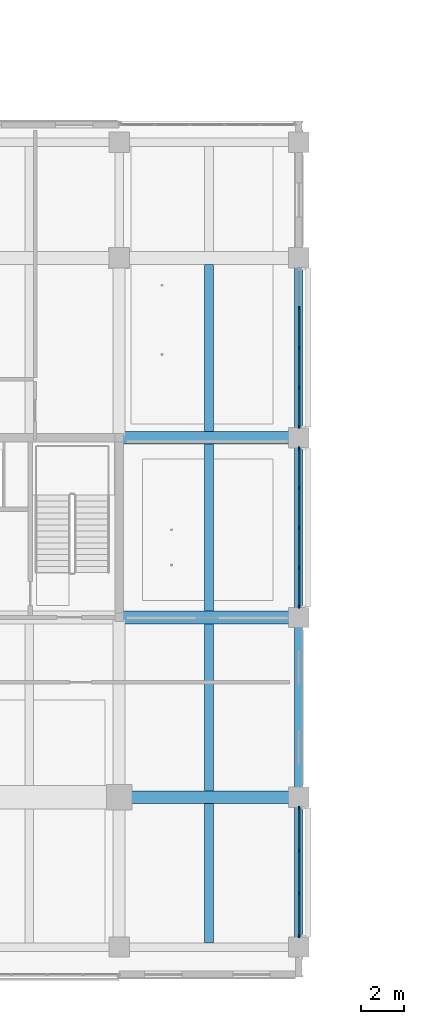
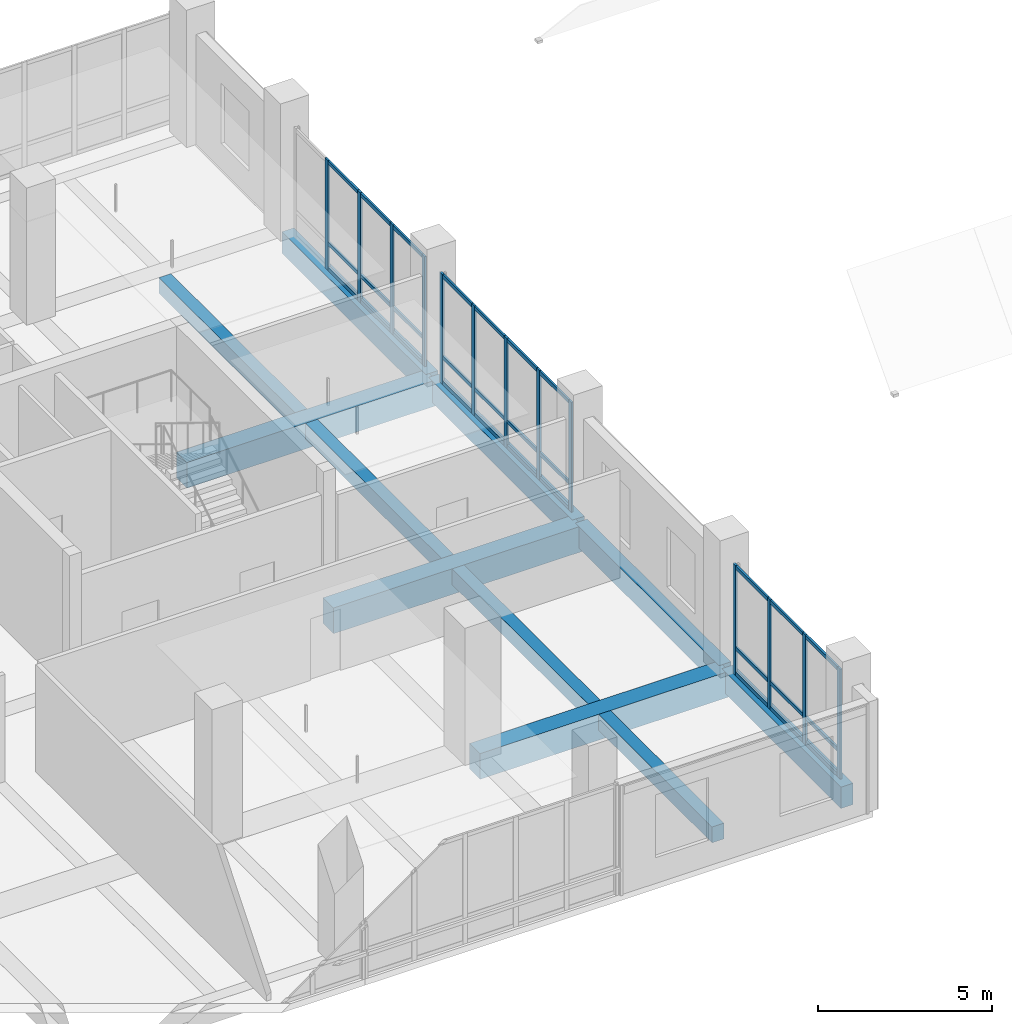
# One storey, part 20 of 122: 43 members, 11 beams, 3 elements without a shape of their own.
"""IFC4 building model written with IfcOpenShell, lengths in metres."""

import ifcopenshell
import ifcopenshell.guid

model = None  # the IFC model being written
_history = None  # IfcOwnerHistory: only IFC2X3 demands one
_inside = {}  # id of a spatial element -> (the spatial element, [elements in it])
_under = {}  # id of a project, library or spatial element -> (it, [spatial elements below it])
_declared = {}  # id of a project -> (the project, [libraries it declares])
_typed = {}  # id of a type object -> (the type object, [elements of that type])
_made_of = {}  # id of a material, layer set ... -> (it, [elements and type objects made of it])


def new_model(schema):
    """Start an empty IFC model of exactly this schema.

    Asked for "IFC4X3", IfcOpenShell would pick the latest addendum, in which some entities
    have other attributes; the version numbers below select the first issue.
    IFC2X3 requires an IfcOwnerHistory on every rooted entity: one is made here for all.
    """
    global model, _history
    if schema == "IFC4X3":
        model = ifcopenshell.file(schema_version=(4, 3, 0, 0))
    else:
        model = ifcopenshell.file(schema=schema)
    _inside.clear()
    _under.clear()
    _declared.clear()
    _typed.clear()
    _made_of.clear()
    _history = None
    if model.schema == "IFC2X3":
        org = make("IfcOrganization", Name="unknown")
        user = make(
            "IfcPersonAndOrganization",
            ThePerson=make("IfcPerson", FamilyName="unknown"),
            TheOrganization=org,
        )
        app = make(
            "IfcApplication",
            ApplicationDeveloper=org,
            Version="unknown",
            ApplicationFullName="unknown",
            ApplicationIdentifier="unknown",
        )
        _history = make(
            "IfcOwnerHistory",
            OwningUser=user,
            OwningApplication=app,
            ChangeAction="ADDED",
            CreationDate=0,
        )
    return model


def make(cls, **values):
    """One entity of the class cls with the attributes given. An attribute that is None is left unset."""
    return model.create_entity(
        cls, **{name: value for name, value in values.items() if value is not None}
    )


def rooted(cls, **values):
    """An entity with a GlobalId (a new one), such as an element, a storey or a relation."""
    return make(cls, GlobalId=ifcopenshell.guid.new(), OwnerHistory=_history, **values)


def si_unit(unit_type, name, prefix=None):
    """IfcSIUnit, for example si_unit("LENGTHUNIT", "METRE", prefix="MILLI")."""
    return make("IfcSIUnit", UnitType=unit_type, Prefix=prefix, Name=name)


def assignment(units):
    """IfcUnitAssignment: the units of a project."""
    return None if units is None else make("IfcUnitAssignment", Units=units)


def point(xyz):
    """IfcCartesianPoint."""
    return None if xyz is None else make("IfcCartesianPoint", Coordinates=xyz)


def direction(xyz):
    """IfcDirection."""
    return None if xyz is None else make("IfcDirection", DirectionRatios=xyz)


def frame(location, z_axis=None, x_axis=None):
    """IfcAxis2Placement3D, a coordinate frame: its origin and axes. An axis left out is left unset."""
    return make(
        "IfcAxis2Placement3D",
        Location=point(location),
        Axis=direction(z_axis),
        RefDirection=direction(x_axis),
    )


def frame_2d(location, x_axis=None):
    """IfcAxis2Placement2D, a coordinate frame in the plane: its origin and x axis."""
    return make(
        "IfcAxis2Placement2D", Location=point(location), RefDirection=direction(x_axis)
    )


def origin():
    """The frame at (0, 0, 0) with its axes left unset."""
    return frame((0.0, 0.0, 0.0))


def origin_2d():
    """The frame at (0, 0) in the plane with its x axis left unset."""
    return frame_2d((0.0, 0.0))


def place(relative_to, where):
    """IfcLocalPlacement: puts the frame where relative to a parent placement (None: the world)."""
    return make(
        "IfcLocalPlacement", PlacementRelTo=relative_to, RelativePlacement=where
    )


def context(
    kind, dimensions, precision=None, world=None, true_north=None, identifier=None
):
    """IfcGeometricRepresentationContext, for example the 3D "Model" context."""
    return make(
        "IfcGeometricRepresentationContext",
        ContextIdentifier=identifier,
        ContextType=kind,
        CoordinateSpaceDimension=dimensions,
        Precision=precision,
        WorldCoordinateSystem=world,
        TrueNorth=true_north,
    )


def subcontext(parent, identifier, kind, view, scale=None):
    """IfcGeometricRepresentationSubContext, for example "Body" below "Model"."""
    return make(
        "IfcGeometricRepresentationSubContext",
        ContextIdentifier=identifier,
        ContextType=kind,
        ParentContext=parent,
        TargetScale=scale,
        TargetView=view,
    )


def project(units=None, contexts=None):
    """IfcProject with its units and contexts."""
    return rooted(
        "IfcProject",
        Name="project",
        RepresentationContexts=contexts,
        UnitsInContext=assignment(units),
    )


def spatial(cls, under=None, at=None, **own):
    """A site, building, storey or space (cls), placed at a placement, below another one or the project."""
    s = rooted(cls, ObjectPlacement=at, **own)
    if under is not None:
        _under.setdefault(under.id(), (under, []))[1].append(s)
    return s


def profile(cls, at=None, kind="AREA", **sizes):
    """A parametric profile (cls). Its sizes go by their IFC names, for example OverallWidth=200.0."""
    return make(cls, ProfileType=kind, Position=at, **sizes)


def rectangle(**sizes):
    """IfcRectangleProfileDef."""
    return profile("IfcRectangleProfileDef", **sizes)


def extrude(swept, where, along, depth):
    """IfcExtrudedAreaSolid: the profile swept, set in the frame where, extruded along a direction by depth."""
    return make(
        "IfcExtrudedAreaSolid",
        SweptArea=swept,
        Position=where,
        ExtrudedDirection=direction(along),
        Depth=depth,
    )


def shape(context_of_items, identifier, shape_type, items):
    """IfcShapeRepresentation: the items that make up one representation, for example the "Body"."""
    return make(
        "IfcShapeRepresentation",
        ContextOfItems=context_of_items,
        RepresentationIdentifier=identifier,
        RepresentationType=shape_type,
        Items=items,
    )


def material(Name=None, Category=None):
    """IfcMaterial."""
    return make("IfcMaterial", Name=Name, Category=Category)


def layer(
    of_material, thickness, ventilated=None, Name=None, Category=None, Priority=None
):
    """IfcMaterialLayer: one layer of a wall or slab, of a material (None: an air gap)."""
    return make(
        "IfcMaterialLayer",
        Material=of_material,
        LayerThickness=thickness,
        IsVentilated=ventilated,
        Name=Name,
        Category=Category,
        Priority=Priority,
    )


def layer_set(layers, Name=None):
    """IfcMaterialLayerSet."""
    return make("IfcMaterialLayerSet", MaterialLayers=layers, LayerSetName=Name)


def material_profile(
    of_material, cross_section, Name=None, Category=None, Priority=None
):
    """IfcMaterialProfile: a cross section and its material."""
    return make(
        "IfcMaterialProfile",
        Name=Name,
        Material=of_material,
        Profile=cross_section,
        Priority=Priority,
        Category=Category,
    )


def profile_set(profiles, Name=None, composite=None):
    """IfcMaterialProfileSet."""
    return make(
        "IfcMaterialProfileSet",
        Name=Name,
        MaterialProfiles=profiles,
        CompositeProfile=composite,
    )


def made_of(thing, what):
    """Note that an element or type object is made of a material, layer set ...; save() writes the relation."""
    if what is not None:
        _made_of.setdefault(what.id(), (what, []))[1].append(thing)
    return thing


def type_object(cls, material=None, **own):
    """A type object (cls), such as IfcWallType, which elements share."""
    return made_of(rooted(cls, **own), material)


def element(
    cls,
    number,
    at=None,
    inside=None,
    cuts=None,
    type_object=None,
    material=None,
    context=None,
    identifier="Body",
    shape_type=None,
    held_by="IfcProductDefinitionShape",
    body=None,
    shapes=None,
    **own,
):
    """One element of the class cls, such as IfcWall. Its Tag is "e" and its number.

    at: its placement. inside: the storey or other place that contains it. cuts: it is an
    opening in that element (IfcRelVoidsElement). A single representation is given by context,
    identifier, shape_type and body (its items); several are given by shapes. held_by: the class
    of the entity that holds the representations. save() writes the other relations.
    """
    e = rooted(cls, Tag="e%d" % number, ObjectPlacement=at, **own)
    if body is not None:
        shapes = [shape(context, identifier, shape_type, body)]
    if shapes is not None:
        e.Representation = make(held_by, Representations=shapes)
    if inside is not None:
        _inside.setdefault(inside.id(), (inside, []))[1].append(e)
    if cuts is not None:
        rooted(
            "IfcRelVoidsElement", RelatingBuildingElement=cuts, RelatedOpeningElement=e
        )
    if type_object is not None:
        _typed.setdefault(type_object.id(), (type_object, []))[1].append(e)
    return made_of(e, material)


def aggregate(whole, parts):
    """IfcRelAggregates: a whole, such as a stair, and the parts it consists of."""
    return rooted("IfcRelAggregates", RelatingObject=whole, RelatedObjects=parts)


def save(model, path):
    """Write the relations noted so far, then the file.

    IfcRelAggregates (storeys below a building ...), IfcRelContainedInSpatialStructure (elements
    in a storey), IfcRelDefinesByType, IfcRelAssociatesMaterial and IfcRelDeclares: one each for
    every whole, place, type object, material and project.
    """
    for whole, parts in _under.values():
        aggregate(whole, parts)
    for where, things in _inside.values():
        rooted(
            "IfcRelContainedInSpatialStructure",
            RelatedElements=things,
            RelatingStructure=where,
        )
    for kind, things in _typed.values():
        rooted("IfcRelDefinesByType", RelatedObjects=things, RelatingType=kind)
    for what, things in _made_of.values():
        rooted("IfcRelAssociatesMaterial", RelatedObjects=things, RelatingMaterial=what)
    for by, libraries in _declared.values():
        rooted("IfcRelDeclares", RelatingContext=by, RelatedDefinitions=libraries)
    model.write(path)


model = new_model("IFC4")

# Units and contexts
model_context = context("Model", 3, precision=1e-05, world=origin(), true_north=direction((0.0, 1.0)))
body_context = subcontext(model_context, "Body", "Model", "MODEL_VIEW")
ifc_project = project(units=[si_unit("LENGTHUNIT", "METRE"), si_unit("AREAUNIT", "SQUARE_METRE"), si_unit("VOLUMEUNIT", "CUBIC_METRE"), si_unit("PLANEANGLEUNIT", "RADIAN"), si_unit("MASSUNIT", "GRAM", prefix="KILO")], contexts=[model_context])

# Site, building, storey
site_placement = place(None, origin())
site = spatial("IfcSite", under=ifc_project, at=site_placement, CompositionType="ELEMENT")
building_placement = place(site_placement, origin())
building = spatial("IfcBuilding", under=site, at=building_placement, Name="Telukmera Botanical Conservatory", CompositionType="ELEMENT")
storey_placement = place(building_placement, frame((0.0, 0.0, 10.199951171875)))
storey = spatial("IfcBuildingStorey", under=building, at=storey_placement, Name="L02", CompositionType="ELEMENT", Elevation=10.199951171875)

# Beams
ifc_material_1 = material(Name="Concrete C40/50", Category="concrete")
ifc_material_profile_1 = material_profile(ifc_material_1, rectangle(XDim=0.39990234375, YDim=0.550048828125, at=origin_2d()), Name="RC 400x550")
ifc_profile_set_1 = profile_set([ifc_material_profile_1], Name="Concrete C40/50")
beam_type_1 = type_object("IfcBeamType", Name="Beam_B19", PredefinedType="JOIST", material=ifc_profile_set_1)
beam_1_placement = place(storey_placement, frame((105.0, 10.800048828125, -0.27490234375), z_axis=(0.0, 1.0, 0.0), x_axis=(-1.0, 0.0, 0.0)))
element("IfcBeam", 1, at=beam_1_placement, inside=storey, type_object=beam_type_1, Name="Tower Secondary Floor Joist L02", PredefinedType="JOIST", context=body_context, shape_type="SweptSolid", body=[
    extrude(rectangle(XDim=0.39990234375, YDim=0.550048828125, at=origin_2d()), origin(), (0.0, 0.0, 1.0), 6.5),
])
for number, where, z_axis, x_axis, name in (
    (2, (105.0, 17.89990234375, -0.27490234375), (0.0, 1.0, 0.0), (-1.0, 0.0, 0.0), "Tower Secondary Floor Joist L02"),
    (3, (105.0, 26.300048828125, -0.27490234375), (0.0, 1.0, 0.0), (-1.0, 0.0, 0.0), "Tower Secondary Floor Joist L02"),
    (4, (105.0, 34.699951171875, -0.27490234375), (0.0, 1.0, 0.0), (-1.0, 0.0, 0.0), "Tower Secondary Floor Joist L02"),
):
    element("IfcBeam", number, at=place(storey_placement, frame(where, z_axis=z_axis, x_axis=x_axis)), inside=storey, type_object=beam_type_1, Name=name, PredefinedType="JOIST", context=body_context, shape_type="SweptSolid", body=[
        extrude(rectangle(XDim=0.39990234375, YDim=0.550048828125, at=origin_2d()), origin(), (0.0, 0.0, 1.0), 7.800048828125),
    ])
ifc_material_profile_2 = material_profile(ifc_material_1, rectangle(XDim=0.60009765625, YDim=0.89990234375, at=origin_2d()), Name="RC 600x900")
ifc_profile_set_2 = profile_set([ifc_material_profile_2], Name="Concrete C40/50")
beam_type_2 = type_object("IfcBeamType", Name="Beam_B3", PredefinedType="BEAM", material=ifc_profile_set_2)
for number, where, z_axis, x_axis, name in (
    (5, (100.8798828125, 17.60009765625, -0.449951171875), (1.0, 0.0, 0.0), (0.0, 1.0, 0.0), "Tower Grid Beam L02"),
    (6, (100.8798828125, 26.0, -0.449951171875), (1.0, 0.0, 0.0), (0.0, 1.0, 0.0), "Tower Grid Beam L02"),
    (7, (100.8798828125, 34.39990234375, -0.449951171875), (1.0, 0.0, 0.0), (0.0, 1.0, 0.0), "Tower Grid Beam L02"),
):
    element("IfcBeam", number, at=place(storey_placement, frame(where, z_axis=z_axis, x_axis=x_axis)), inside=storey, type_object=beam_type_2, Name=name, PredefinedType="BEAM", context=body_context, shape_type="SweptSolid", body=[
        extrude(rectangle(XDim=0.60009765625, YDim=0.89990234375, at=origin_2d()), origin(), (0.0, 0.0, 1.0), 8.240234375),
    ])
ifc_material_2 = material(Name="Precast concrete C40/50", Category="concrete")
ifc_material_profile_3 = material_profile(ifc_material_2, rectangle(XDim=0.39990234375, YDim=0.75, at=origin_2d()), Name="PC 400x750")
ifc_profile_set_3 = profile_set([ifc_material_profile_3], Name="Precast concrete C40/50")
beam_type_3 = type_object("IfcBeamType", Name="Beam_SP1", PredefinedType="SPANDREL", material=ifc_profile_set_3)
beam_2_placement = place(storey_placement, frame((109.199951171875, 10.679931640625, -0.375), z_axis=(0.0, 1.0, 0.0), x_axis=(-1.0, 0.0, 0.0)))
element("IfcBeam", 8, at=beam_2_placement, inside=storey, type_object=beam_type_3, Name="Tower Transverse Beam L02", PredefinedType="SPANDREL", context=body_context, shape_type="SweptSolid", body=[
    extrude(rectangle(XDim=0.39990234375, YDim=0.75, at=origin_2d()), origin(), (0.0, 0.0, 1.0), 6.840087890625),
])
for number, where, z_axis, x_axis, name in (
    (9, (109.199951171875, 17.679931640625, -0.375), (0.0, 1.0, 0.0), (-1.0, 0.0, 0.0), "Tower Transverse Beam L02"),
    (10, (109.199951171875, 26.080078125, -0.375), (0.0, 1.0, 0.0), (-1.0, 0.0, 0.0), "Tower Transverse Beam L02"),
    (11, (109.199951171875, 34.47998046875, -0.375), (0.0, 1.0, 0.0), (-1.0, 0.0, 0.0), "Tower Transverse Beam L02"),
):
    element("IfcBeam", number, at=place(storey_placement, frame(where, z_axis=z_axis, x_axis=x_axis)), inside=storey, type_object=beam_type_3, Name=name, PredefinedType="SPANDREL", context=body_context, shape_type="SweptSolid", body=[
        extrude(rectangle(XDim=0.39990234375, YDim=0.75, at=origin_2d()), origin(), (0.0, 0.0, 1.0), 8.239990234375),
    ])

# Curtain wall, members
ifc_material_3 = material(Name="Anodised aluminium 6063-T6", Category="aluminium")
ifc_layer = layer(ifc_material_3, 0.179931640625)
ifc_layer_set = layer_set([ifc_layer], Name="Anodised aluminium 6063-T6")
curtain_wall_type = type_object("IfcCurtainWallType", Name="Tower Reference Library Curtain Wall", PredefinedType="USERDEFINED", material=ifc_layer_set)
curtain_wall_1_placement = place(storey_placement, origin())
curtain_wall_1 = element("IfcCurtainWall", 12, at=curtain_wall_1_placement, inside=storey, type_object=curtain_wall_type, Name="Unitised Curtain Wall CW13 V4:L02:E1", ObjectType="UNITISED CURTAIN WALL", PredefinedType="USERDEFINED")
ifc_material_profile_4 = material_profile(ifc_material_3, rectangle(XDim=0.06494140625, YDim=0.159912109375, at=origin_2d()), Name="ALU MULL 65x160")
ifc_profile_set_4 = profile_set([ifc_material_profile_4], Name="Anodised aluminium 6063-T6")
member_type_1 = type_object("IfcMemberType", Name="Curtain Wall Extruded Mullion 65x160", PredefinedType="MULLION", material=ifc_profile_set_4)
member_1_placement = place(storey_placement, frame((109.199951171875, 11.109619140625, 0.0), z_axis=(0.0, 0.0, 1.0), x_axis=(-1.0, 0.0, 0.0)))
member_1 = element("IfcMember", 13, at=member_1_placement, type_object=member_type_1, Name="CW13 mullion 1", PredefinedType="MULLION", context=body_context, shape_type="SweptSolid", body=[
    extrude(rectangle(XDim=0.06494140625, YDim=0.159912109375, at=origin_2d()), origin(), (0.0, 0.0, 1.0), 3.85009765625),
])
member_2_placement = place(storey_placement, frame((109.199951171875, 13.09228515625, 0.0), z_axis=(0.0, 0.0, 1.0), x_axis=(-1.0, 0.0, 0.0)))
member_2 = element("IfcMember", 14, at=member_2_placement, type_object=member_type_1, Name="CW13 mullion 2", PredefinedType="MULLION", context=body_context, shape_type="SweptSolid", body=[
    extrude(rectangle(XDim=0.06494140625, YDim=0.159912109375, at=origin_2d()), origin(), (0.0, 0.0, 1.0), 3.85009765625),
])
member_3_placement = place(storey_placement, frame((109.199951171875, 15.107666015625, 0.0), z_axis=(0.0, 0.0, 1.0), x_axis=(-1.0, 0.0, 0.0)))
member_3 = element("IfcMember", 15, at=member_3_placement, type_object=member_type_1, Name="CW13 mullion 3", PredefinedType="MULLION", context=body_context, shape_type="SweptSolid", body=[
    extrude(rectangle(XDim=0.06494140625, YDim=0.159912109375, at=origin_2d()), origin(), (0.0, 0.0, 1.0), 3.85009765625),
])
member_4_placement = place(storey_placement, frame((109.199951171875, 17.090576171875, 0.0), z_axis=(0.0, 0.0, 1.0), x_axis=(-1.0, 0.0, 0.0)))
member_4 = element("IfcMember", 16, at=member_4_placement, type_object=member_type_1, Name="CW13 mullion 4", PredefinedType="MULLION", context=body_context, shape_type="SweptSolid", body=[
    extrude(rectangle(XDim=0.06494140625, YDim=0.159912109375, at=origin_2d()), origin(), (0.0, 0.0, 1.0), 3.85009765625),
])

curtain_wall_2_placement = place(storey_placement, origin())
curtain_wall_2 = element("IfcCurtainWall", 17, at=curtain_wall_2_placement, inside=storey, type_object=curtain_wall_type, Name="Unitised Curtain Wall CW13 V4:L02:E3", ObjectType="UNITISED CURTAIN WALL", PredefinedType="USERDEFINED")
member_5_placement = place(storey_placement, frame((109.199951171875, 26.509521484375, 0.0), z_axis=(0.0, 0.0, 1.0), x_axis=(-1.0, 0.0, 0.0)))
member_5 = element("IfcMember", 18, at=member_5_placement, type_object=member_type_1, Name="CW13 mullion 1", PredefinedType="MULLION", context=body_context, shape_type="SweptSolid", body=[
    extrude(rectangle(XDim=0.06494140625, YDim=0.159912109375, at=origin_2d()), origin(), (0.0, 0.0, 1.0), 3.85009765625),
])
member_6_placement = place(storey_placement, frame((109.199951171875, 28.33837890625, 0.0), z_axis=(0.0, 0.0, 1.0), x_axis=(-1.0, 0.0, 0.0)))
member_6 = element("IfcMember", 19, at=member_6_placement, type_object=member_type_1, Name="CW13 mullion 2", PredefinedType="MULLION", context=body_context, shape_type="SweptSolid", body=[
    extrude(rectangle(XDim=0.06494140625, YDim=0.159912109375, at=origin_2d()), origin(), (0.0, 0.0, 1.0), 3.85009765625),
])
member_7_placement = place(storey_placement, frame((109.199951171875, 30.199951171875, 0.0), z_axis=(0.0, 0.0, 1.0), x_axis=(-1.0, 0.0, 0.0)))
member_7 = element("IfcMember", 20, at=member_7_placement, type_object=member_type_1, Name="CW13 mullion 3", PredefinedType="MULLION", context=body_context, shape_type="SweptSolid", body=[
    extrude(rectangle(XDim=0.06494140625, YDim=0.159912109375, at=origin_2d()), origin(), (0.0, 0.0, 1.0), 3.85009765625),
])
member_8_placement = place(storey_placement, frame((109.199951171875, 32.0615234375, 0.0), z_axis=(0.0, 0.0, 1.0), x_axis=(-1.0, 0.0, 0.0)))
member_8 = element("IfcMember", 21, at=member_8_placement, type_object=member_type_1, Name="CW13 mullion 4", PredefinedType="MULLION", context=body_context, shape_type="SweptSolid", body=[
    extrude(rectangle(XDim=0.06494140625, YDim=0.159912109375, at=origin_2d()), origin(), (0.0, 0.0, 1.0), 3.85009765625),
])
member_9_placement = place(storey_placement, frame((109.199951171875, 33.890380859375, 0.0), z_axis=(0.0, 0.0, 1.0), x_axis=(-1.0, 0.0, 0.0)))
member_9 = element("IfcMember", 22, at=member_9_placement, type_object=member_type_1, Name="CW13 mullion 5", PredefinedType="MULLION", context=body_context, shape_type="SweptSolid", body=[
    extrude(rectangle(XDim=0.06494140625, YDim=0.159912109375, at=origin_2d()), origin(), (0.0, 0.0, 1.0), 3.85009765625),
])

curtain_wall_3_placement = place(storey_placement, origin())
curtain_wall_3 = element("IfcCurtainWall", 23, at=curtain_wall_3_placement, inside=storey, type_object=curtain_wall_type, Name="Unitised Curtain Wall CW13 V4:L02:E4", ObjectType="UNITISED CURTAIN WALL", PredefinedType="USERDEFINED")
member_10_placement = place(storey_placement, frame((109.199951171875, 34.909423828125, 0.0), z_axis=(0.0, 0.0, 1.0), x_axis=(-1.0, 0.0, 0.0)))
member_10 = element("IfcMember", 24, at=member_10_placement, type_object=member_type_1, Name="CW13 mullion 1", PredefinedType="MULLION", context=body_context, shape_type="SweptSolid", body=[
    extrude(rectangle(XDim=0.06494140625, YDim=0.159912109375, at=origin_2d()), origin(), (0.0, 0.0, 1.0), 3.85009765625),
])
member_11_placement = place(storey_placement, frame((109.199951171875, 36.738525390625, 0.0), z_axis=(0.0, 0.0, 1.0), x_axis=(-1.0, 0.0, 0.0)))
member_11 = element("IfcMember", 25, at=member_11_placement, type_object=member_type_1, Name="CW13 mullion 2", PredefinedType="MULLION", context=body_context, shape_type="SweptSolid", body=[
    extrude(rectangle(XDim=0.06494140625, YDim=0.159912109375, at=origin_2d()), origin(), (0.0, 0.0, 1.0), 3.85009765625),
])
member_12_placement = place(storey_placement, frame((109.199951171875, 38.60009765625, 0.0), z_axis=(0.0, 0.0, 1.0), x_axis=(-1.0, 0.0, 0.0)))
member_12 = element("IfcMember", 26, at=member_12_placement, type_object=member_type_1, Name="CW13 mullion 3", PredefinedType="MULLION", context=body_context, shape_type="SweptSolid", body=[
    extrude(rectangle(XDim=0.06494140625, YDim=0.159912109375, at=origin_2d()), origin(), (0.0, 0.0, 1.0), 3.85009765625),
])
member_13_placement = place(storey_placement, frame((109.199951171875, 40.46142578125, 0.0), z_axis=(0.0, 0.0, 1.0), x_axis=(-1.0, 0.0, 0.0)))
member_13 = element("IfcMember", 27, at=member_13_placement, type_object=member_type_1, Name="CW13 mullion 4", PredefinedType="MULLION", context=body_context, shape_type="SweptSolid", body=[
    extrude(rectangle(XDim=0.06494140625, YDim=0.159912109375, at=origin_2d()), origin(), (0.0, 0.0, 1.0), 3.85009765625),
])

# Member
ifc_material_profile_5 = material_profile(ifc_material_3, rectangle(XDim=0.06494140625, YDim=0.1298828125, at=origin_2d()), Name="ALU TRAN 65x130")
ifc_profile_set_5 = profile_set([ifc_material_profile_5], Name="Anodised aluminium 6063-T6")
member_type_2 = type_object("IfcMemberType", Name="Curtain Wall Extruded Transom 65x130", PredefinedType="USERDEFINED", material=ifc_profile_set_5)
member_14_placement = place(storey_placement, frame((109.199951171875, 11.14208984375, 0.06494140625), z_axis=(0.0, 1.0, 0.0), x_axis=(-1.0, 0.0, 0.0)))
member_14 = element("IfcMember", 28, at=member_14_placement, type_object=member_type_2, Name="CW13 transom 1.1", ObjectType="TRANSOM", PredefinedType="USERDEFINED", context=body_context, shape_type="SweptSolid", body=[
    extrude(rectangle(XDim=0.06494140625, YDim=0.1298828125, at=origin_2d()), origin(), (0.0, 0.0, 1.0), 1.917724609375),
])

member_15_placement = place(storey_placement, frame((109.199951171875, 11.14208984375, 0.949951171875), z_axis=(0.0, 1.0, 0.0), x_axis=(-1.0, 0.0, 0.0)))
member_15 = element("IfcMember", 29, at=member_15_placement, type_object=member_type_2, Name="CW13 transom 1.2", ObjectType="TRANSOM", PredefinedType="USERDEFINED", context=body_context, shape_type="SweptSolid", body=[
    extrude(rectangle(XDim=0.06494140625, YDim=0.1298828125, at=origin_2d()), origin(), (0.0, 0.0, 1.0), 1.917724609375),
])

member_16_placement = place(storey_placement, frame((109.199951171875, 11.14208984375, 3.78515625), z_axis=(0.0, 1.0, 0.0), x_axis=(-1.0, 0.0, 0.0)))
member_16 = element("IfcMember", 30, at=member_16_placement, type_object=member_type_2, Name="CW13 transom 1.3", ObjectType="TRANSOM", PredefinedType="USERDEFINED", context=body_context, shape_type="SweptSolid", body=[
    extrude(rectangle(XDim=0.06494140625, YDim=0.1298828125, at=origin_2d()), origin(), (0.0, 0.0, 1.0), 1.917724609375),
])

member_17_placement = place(storey_placement, frame((109.199951171875, 13.124755859375, 0.06494140625), z_axis=(0.0, 1.0, 0.0), x_axis=(-1.0, 0.0, 0.0)))
member_17 = element("IfcMember", 31, at=member_17_placement, type_object=member_type_2, Name="CW13 transom 2.1", ObjectType="TRANSOM", PredefinedType="USERDEFINED", context=body_context, shape_type="SweptSolid", body=[
    extrude(rectangle(XDim=0.06494140625, YDim=0.1298828125, at=origin_2d()), origin(), (0.0, 0.0, 1.0), 1.950439453125),
])

member_18_placement = place(storey_placement, frame((109.199951171875, 13.124755859375, 0.949951171875), z_axis=(0.0, 1.0, 0.0), x_axis=(-1.0, 0.0, 0.0)))
member_18 = element("IfcMember", 32, at=member_18_placement, type_object=member_type_2, Name="CW13 transom 2.2", ObjectType="TRANSOM", PredefinedType="USERDEFINED", context=body_context, shape_type="SweptSolid", body=[
    extrude(rectangle(XDim=0.06494140625, YDim=0.1298828125, at=origin_2d()), origin(), (0.0, 0.0, 1.0), 1.950439453125),
])

member_19_placement = place(storey_placement, frame((109.199951171875, 13.124755859375, 3.78515625), z_axis=(0.0, 1.0, 0.0), x_axis=(-1.0, 0.0, 0.0)))
member_19 = element("IfcMember", 33, at=member_19_placement, type_object=member_type_2, Name="CW13 transom 2.3", ObjectType="TRANSOM", PredefinedType="USERDEFINED", context=body_context, shape_type="SweptSolid", body=[
    extrude(rectangle(XDim=0.06494140625, YDim=0.1298828125, at=origin_2d()), origin(), (0.0, 0.0, 1.0), 1.950439453125),
])

member_20_placement = place(storey_placement, frame((109.199951171875, 15.14013671875, 0.06494140625), z_axis=(0.0, 1.0, 0.0), x_axis=(-1.0, 0.0, 0.0)))
member_20 = element("IfcMember", 34, at=member_20_placement, type_object=member_type_2, Name="CW13 transom 3.1", ObjectType="TRANSOM", PredefinedType="USERDEFINED", context=body_context, shape_type="SweptSolid", body=[
    extrude(rectangle(XDim=0.06494140625, YDim=0.1298828125, at=origin_2d()), origin(), (0.0, 0.0, 1.0), 1.91796875),
])

member_21_placement = place(storey_placement, frame((109.199951171875, 15.14013671875, 0.949951171875), z_axis=(0.0, 1.0, 0.0), x_axis=(-1.0, 0.0, 0.0)))
member_21 = element("IfcMember", 35, at=member_21_placement, type_object=member_type_2, Name="CW13 transom 3.2", ObjectType="TRANSOM", PredefinedType="USERDEFINED", context=body_context, shape_type="SweptSolid", body=[
    extrude(rectangle(XDim=0.06494140625, YDim=0.1298828125, at=origin_2d()), origin(), (0.0, 0.0, 1.0), 1.91796875),
])

member_22_placement = place(storey_placement, frame((109.199951171875, 15.14013671875, 3.78515625), z_axis=(0.0, 1.0, 0.0), x_axis=(-1.0, 0.0, 0.0)))
member_22 = element("IfcMember", 36, at=member_22_placement, type_object=member_type_2, Name="CW13 transom 3.3", ObjectType="TRANSOM", PredefinedType="USERDEFINED", context=body_context, shape_type="SweptSolid", body=[
    extrude(rectangle(XDim=0.06494140625, YDim=0.1298828125, at=origin_2d()), origin(), (0.0, 0.0, 1.0), 1.91796875),
])

aggregate(curtain_wall_1, [member_1, member_2, member_3, member_4, member_14, member_15, member_16, member_17, member_18, member_19, member_20, member_21, member_22])

member_23_placement = place(storey_placement, frame((109.199951171875, 26.5419921875, 0.06494140625), z_axis=(0.0, 1.0, 0.0), x_axis=(-1.0, 0.0, 0.0)))
member_23 = element("IfcMember", 37, at=member_23_placement, type_object=member_type_2, Name="CW13 transom 1.1", ObjectType="TRANSOM", PredefinedType="USERDEFINED", context=body_context, shape_type="SweptSolid", body=[
    extrude(rectangle(XDim=0.06494140625, YDim=0.1298828125, at=origin_2d()), origin(), (0.0, 0.0, 1.0), 1.763916015625),
])

member_24_placement = place(storey_placement, frame((109.199951171875, 26.5419921875, 0.949951171875), z_axis=(0.0, 1.0, 0.0), x_axis=(-1.0, 0.0, 0.0)))
member_24 = element("IfcMember", 38, at=member_24_placement, type_object=member_type_2, Name="CW13 transom 1.2", ObjectType="TRANSOM", PredefinedType="USERDEFINED", context=body_context, shape_type="SweptSolid", body=[
    extrude(rectangle(XDim=0.06494140625, YDim=0.1298828125, at=origin_2d()), origin(), (0.0, 0.0, 1.0), 1.763916015625),
])

member_25_placement = place(storey_placement, frame((109.199951171875, 26.5419921875, 3.78515625), z_axis=(0.0, 1.0, 0.0), x_axis=(-1.0, 0.0, 0.0)))
member_25 = element("IfcMember", 39, at=member_25_placement, type_object=member_type_2, Name="CW13 transom 1.3", ObjectType="TRANSOM", PredefinedType="USERDEFINED", context=body_context, shape_type="SweptSolid", body=[
    extrude(rectangle(XDim=0.06494140625, YDim=0.1298828125, at=origin_2d()), origin(), (0.0, 0.0, 1.0), 1.763916015625),
])

member_26_placement = place(storey_placement, frame((109.199951171875, 28.37109375, 0.06494140625), z_axis=(0.0, 1.0, 0.0), x_axis=(-1.0, 0.0, 0.0)))
member_26 = element("IfcMember", 40, at=member_26_placement, type_object=member_type_2, Name="CW13 transom 2.1", ObjectType="TRANSOM", PredefinedType="USERDEFINED", context=body_context, shape_type="SweptSolid", body=[
    extrude(rectangle(XDim=0.06494140625, YDim=0.1298828125, at=origin_2d()), origin(), (0.0, 0.0, 1.0), 1.79638671875),
])

member_27_placement = place(storey_placement, frame((109.199951171875, 28.37109375, 0.949951171875), z_axis=(0.0, 1.0, 0.0), x_axis=(-1.0, 0.0, 0.0)))
member_27 = element("IfcMember", 41, at=member_27_placement, type_object=member_type_2, Name="CW13 transom 2.2", ObjectType="TRANSOM", PredefinedType="USERDEFINED", context=body_context, shape_type="SweptSolid", body=[
    extrude(rectangle(XDim=0.06494140625, YDim=0.1298828125, at=origin_2d()), origin(), (0.0, 0.0, 1.0), 1.79638671875),
])

member_28_placement = place(storey_placement, frame((109.199951171875, 28.37109375, 3.78515625), z_axis=(0.0, 1.0, 0.0), x_axis=(-1.0, 0.0, 0.0)))
member_28 = element("IfcMember", 42, at=member_28_placement, type_object=member_type_2, Name="CW13 transom 2.3", ObjectType="TRANSOM", PredefinedType="USERDEFINED", context=body_context, shape_type="SweptSolid", body=[
    extrude(rectangle(XDim=0.06494140625, YDim=0.1298828125, at=origin_2d()), origin(), (0.0, 0.0, 1.0), 1.79638671875),
])

member_29_placement = place(storey_placement, frame((109.199951171875, 30.232421875, 0.06494140625), z_axis=(0.0, 1.0, 0.0), x_axis=(-1.0, 0.0, 0.0)))
member_29 = element("IfcMember", 43, at=member_29_placement, type_object=member_type_2, Name="CW13 transom 3.1", ObjectType="TRANSOM", PredefinedType="USERDEFINED", context=body_context, shape_type="SweptSolid", body=[
    extrude(rectangle(XDim=0.06494140625, YDim=0.1298828125, at=origin_2d()), origin(), (0.0, 0.0, 1.0), 1.796630859375),
])

member_30_placement = place(storey_placement, frame((109.199951171875, 30.232421875, 0.949951171875), z_axis=(0.0, 1.0, 0.0), x_axis=(-1.0, 0.0, 0.0)))
member_30 = element("IfcMember", 44, at=member_30_placement, type_object=member_type_2, Name="CW13 transom 3.2", ObjectType="TRANSOM", PredefinedType="USERDEFINED", context=body_context, shape_type="SweptSolid", body=[
    extrude(rectangle(XDim=0.06494140625, YDim=0.1298828125, at=origin_2d()), origin(), (0.0, 0.0, 1.0), 1.796630859375),
])

member_31_placement = place(storey_placement, frame((109.199951171875, 30.232421875, 3.78515625), z_axis=(0.0, 1.0, 0.0), x_axis=(-1.0, 0.0, 0.0)))
member_31 = element("IfcMember", 45, at=member_31_placement, type_object=member_type_2, Name="CW13 transom 3.3", ObjectType="TRANSOM", PredefinedType="USERDEFINED", context=body_context, shape_type="SweptSolid", body=[
    extrude(rectangle(XDim=0.06494140625, YDim=0.1298828125, at=origin_2d()), origin(), (0.0, 0.0, 1.0), 1.796630859375),
])

member_32_placement = place(storey_placement, frame((109.199951171875, 32.093994140625, 0.06494140625), z_axis=(0.0, 1.0, 0.0), x_axis=(-1.0, 0.0, 0.0)))
member_32 = element("IfcMember", 46, at=member_32_placement, type_object=member_type_2, Name="CW13 transom 4.1", ObjectType="TRANSOM", PredefinedType="USERDEFINED", context=body_context, shape_type="SweptSolid", body=[
    extrude(rectangle(XDim=0.06494140625, YDim=0.1298828125, at=origin_2d()), origin(), (0.0, 0.0, 1.0), 1.763916015625),
])

member_33_placement = place(storey_placement, frame((109.199951171875, 32.093994140625, 0.949951171875), z_axis=(0.0, 1.0, 0.0), x_axis=(-1.0, 0.0, 0.0)))
member_33 = element("IfcMember", 47, at=member_33_placement, type_object=member_type_2, Name="CW13 transom 4.2", ObjectType="TRANSOM", PredefinedType="USERDEFINED", context=body_context, shape_type="SweptSolid", body=[
    extrude(rectangle(XDim=0.06494140625, YDim=0.1298828125, at=origin_2d()), origin(), (0.0, 0.0, 1.0), 1.763916015625),
])

member_34_placement = place(storey_placement, frame((109.199951171875, 32.093994140625, 3.78515625), z_axis=(0.0, 1.0, 0.0), x_axis=(-1.0, 0.0, 0.0)))
member_34 = element("IfcMember", 48, at=member_34_placement, type_object=member_type_2, Name="CW13 transom 4.3", ObjectType="TRANSOM", PredefinedType="USERDEFINED", context=body_context, shape_type="SweptSolid", body=[
    extrude(rectangle(XDim=0.06494140625, YDim=0.1298828125, at=origin_2d()), origin(), (0.0, 0.0, 1.0), 1.763916015625),
])

aggregate(curtain_wall_2, [member_5, member_6, member_7, member_8, member_9, member_23, member_24, member_25, member_26, member_27, member_28, member_29, member_30, member_31, member_32, member_33, member_34])

member_35_placement = place(storey_placement, frame((109.199951171875, 34.94189453125, 0.06494140625), z_axis=(0.0, 1.0, 0.0), x_axis=(-1.0, 0.0, 0.0)))
member_35 = element("IfcMember", 49, at=member_35_placement, type_object=member_type_2, Name="CW13 transom 1.1", ObjectType="TRANSOM", PredefinedType="USERDEFINED", context=body_context, shape_type="SweptSolid", body=[
    extrude(rectangle(XDim=0.06494140625, YDim=0.1298828125, at=origin_2d()), origin(), (0.0, 0.0, 1.0), 1.76416015625),
])

member_36_placement = place(storey_placement, frame((109.199951171875, 34.94189453125, 0.949951171875), z_axis=(0.0, 1.0, 0.0), x_axis=(-1.0, 0.0, 0.0)))
member_36 = element("IfcMember", 50, at=member_36_placement, type_object=member_type_2, Name="CW13 transom 1.2", ObjectType="TRANSOM", PredefinedType="USERDEFINED", context=body_context, shape_type="SweptSolid", body=[
    extrude(rectangle(XDim=0.06494140625, YDim=0.1298828125, at=origin_2d()), origin(), (0.0, 0.0, 1.0), 1.76416015625),
])

member_37_placement = place(storey_placement, frame((109.199951171875, 34.94189453125, 3.78515625), z_axis=(0.0, 1.0, 0.0), x_axis=(-1.0, 0.0, 0.0)))
member_37 = element("IfcMember", 51, at=member_37_placement, type_object=member_type_2, Name="CW13 transom 1.3", ObjectType="TRANSOM", PredefinedType="USERDEFINED", context=body_context, shape_type="SweptSolid", body=[
    extrude(rectangle(XDim=0.06494140625, YDim=0.1298828125, at=origin_2d()), origin(), (0.0, 0.0, 1.0), 1.76416015625),
])

member_38_placement = place(storey_placement, frame((109.199951171875, 36.77099609375, 0.06494140625), z_axis=(0.0, 1.0, 0.0), x_axis=(-1.0, 0.0, 0.0)))
member_38 = element("IfcMember", 52, at=member_38_placement, type_object=member_type_2, Name="CW13 transom 2.1", ObjectType="TRANSOM", PredefinedType="USERDEFINED", context=body_context, shape_type="SweptSolid", body=[
    extrude(rectangle(XDim=0.06494140625, YDim=0.1298828125, at=origin_2d()), origin(), (0.0, 0.0, 1.0), 1.79638671875),
])

member_39_placement = place(storey_placement, frame((109.199951171875, 36.77099609375, 0.949951171875), z_axis=(0.0, 1.0, 0.0), x_axis=(-1.0, 0.0, 0.0)))
member_39 = element("IfcMember", 53, at=member_39_placement, type_object=member_type_2, Name="CW13 transom 2.2", ObjectType="TRANSOM", PredefinedType="USERDEFINED", context=body_context, shape_type="SweptSolid", body=[
    extrude(rectangle(XDim=0.06494140625, YDim=0.1298828125, at=origin_2d()), origin(), (0.0, 0.0, 1.0), 1.79638671875),
])

member_40_placement = place(storey_placement, frame((109.199951171875, 36.77099609375, 3.78515625), z_axis=(0.0, 1.0, 0.0), x_axis=(-1.0, 0.0, 0.0)))
member_40 = element("IfcMember", 54, at=member_40_placement, type_object=member_type_2, Name="CW13 transom 2.3", ObjectType="TRANSOM", PredefinedType="USERDEFINED", context=body_context, shape_type="SweptSolid", body=[
    extrude(rectangle(XDim=0.06494140625, YDim=0.1298828125, at=origin_2d()), origin(), (0.0, 0.0, 1.0), 1.79638671875),
])

member_41_placement = place(storey_placement, frame((109.199951171875, 38.632568359375, 0.06494140625), z_axis=(0.0, 1.0, 0.0), x_axis=(-1.0, 0.0, 0.0)))
member_41 = element("IfcMember", 55, at=member_41_placement, type_object=member_type_2, Name="CW13 transom 3.1", ObjectType="TRANSOM", PredefinedType="USERDEFINED", context=body_context, shape_type="SweptSolid", body=[
    extrude(rectangle(XDim=0.06494140625, YDim=0.1298828125, at=origin_2d()), origin(), (0.0, 0.0, 1.0), 1.79638671875),
])

member_42_placement = place(storey_placement, frame((109.199951171875, 38.632568359375, 0.949951171875), z_axis=(0.0, 1.0, 0.0), x_axis=(-1.0, 0.0, 0.0)))
member_42 = element("IfcMember", 56, at=member_42_placement, type_object=member_type_2, Name="CW13 transom 3.2", ObjectType="TRANSOM", PredefinedType="USERDEFINED", context=body_context, shape_type="SweptSolid", body=[
    extrude(rectangle(XDim=0.06494140625, YDim=0.1298828125, at=origin_2d()), origin(), (0.0, 0.0, 1.0), 1.79638671875),
])

member_43_placement = place(storey_placement, frame((109.199951171875, 38.632568359375, 3.78515625), z_axis=(0.0, 1.0, 0.0), x_axis=(-1.0, 0.0, 0.0)))
member_43 = element("IfcMember", 57, at=member_43_placement, type_object=member_type_2, Name="CW13 transom 3.3", ObjectType="TRANSOM", PredefinedType="USERDEFINED", context=body_context, shape_type="SweptSolid", body=[
    extrude(rectangle(XDim=0.06494140625, YDim=0.1298828125, at=origin_2d()), origin(), (0.0, 0.0, 1.0), 1.79638671875),
])

aggregate(curtain_wall_3, [member_10, member_11, member_12, member_13, member_35, member_36, member_37, member_38, member_39, member_40, member_41, member_42, member_43])

save(model, "model.ifc")
